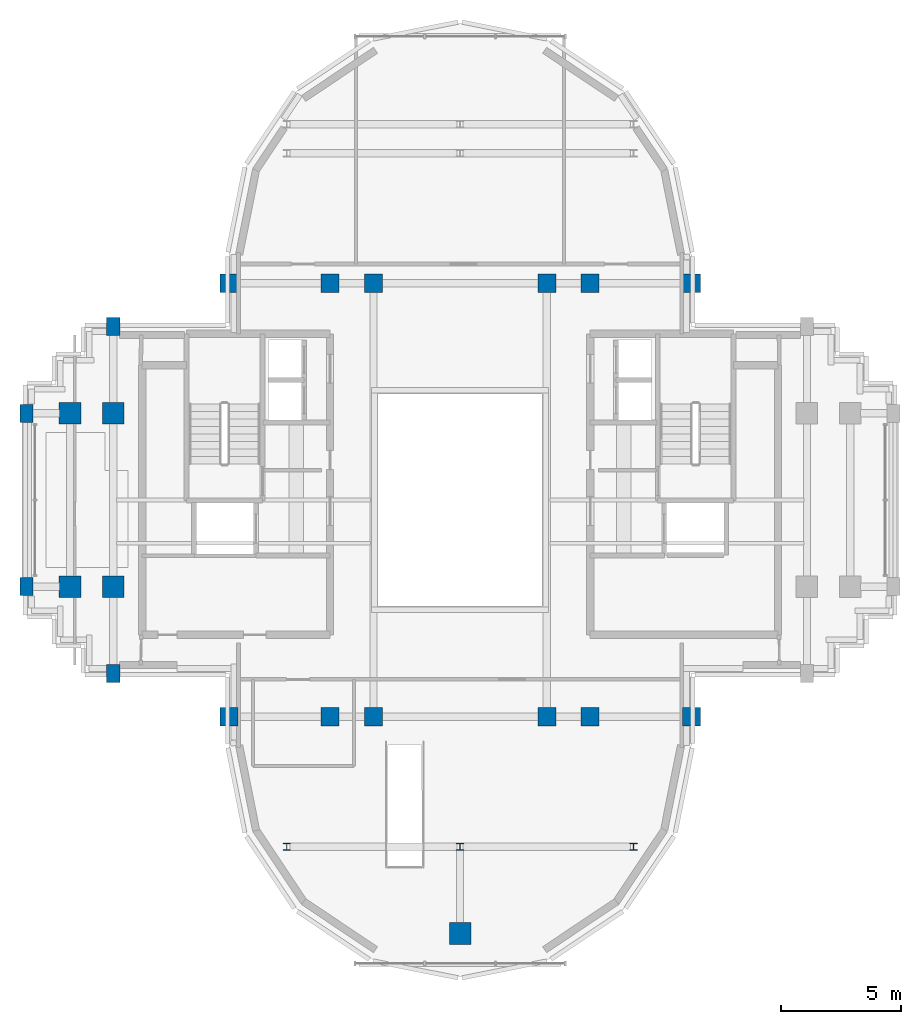
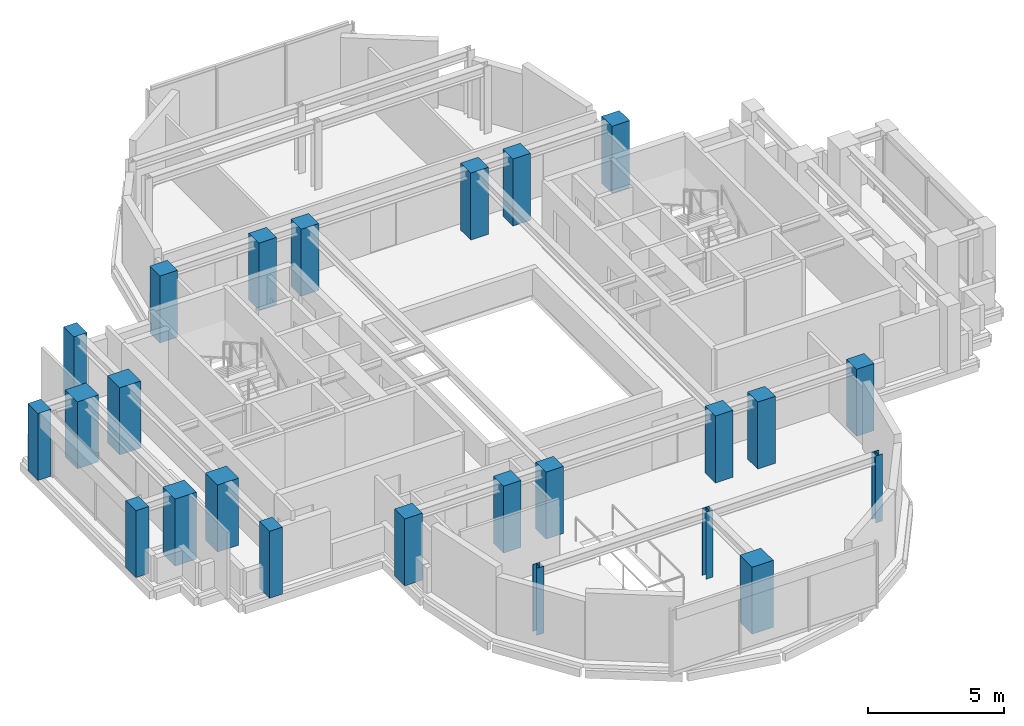
# One storey, part 1 of 12: 24 columns.
"""IFC4 building model written with IfcOpenShell, lengths in metres."""

from ifc_helpers import new_model, si_unit, direction, frame, origin, origin_2d, place, context, subcontext, project, spatial, rectangle, i_section, extrude, source, transform, mapped, material, material_profile, profile_set, type_object, element, save


model = new_model("IFC4")

# Units and contexts
model_context = context("Model", 3, precision=1e-05, world=origin(), true_north=direction((0.0, 1.0)))
body_context = subcontext(model_context, "Body", "Model", "MODEL_VIEW")
ifc_project = project(units=[si_unit("LENGTHUNIT", "METRE"), si_unit("AREAUNIT", "SQUARE_METRE"), si_unit("VOLUMEUNIT", "CUBIC_METRE"), si_unit("PLANEANGLEUNIT", "RADIAN"), si_unit("MASSUNIT", "GRAM", prefix="KILO")], contexts=[model_context])

# Site, building, storey
site_placement = place(None, origin())
site = spatial("IfcSite", under=ifc_project, at=site_placement, CompositionType="ELEMENT")
building_placement = place(site_placement, origin())
building = spatial("IfcBuilding", under=site, at=building_placement, Name="Keilestroom Media Tower", CompositionType="ELEMENT")
storey_placement = place(building_placement, frame((0.0, 0.0, 242.800048828125)))
storey = spatial("IfcBuildingStorey", under=building, at=storey_placement, Name="L67", CompositionType="ELEMENT", Elevation=242.800048828125)

# Columns
ifc_material_1 = material(Name="Precast concrete C40/50", Category="concrete")
ifc_material_profile_1 = material_profile(ifc_material_1, rectangle(XDim=0.550048828125, YDim=0.75, at=origin_2d()), Name="PC 750x550")
ifc_profile_set_1 = profile_set([ifc_material_profile_1], Name="Precast concrete C40/50")
column_type_1 = type_object("IfcColumnType", Name="Structural-Column-PC-750x550", PredefinedType="COLUMN", material=ifc_profile_set_1)
shared_shape_1 = source(origin(), body_context, "Body", "SweptSolid", [
    extrude(rectangle(XDim=0.550048828125, YDim=0.75, at=origin_2d()), origin(), (0.0, 0.0, 1.0), 3.010009765625),
])
for number, where, z_axis, x_axis, name in (
    (1, (-18.0, -3.60009765625, 0.0), (0.0, 0.0, 1.0), (1.0, 0.0, 0.0), "L67 Column PC-3 (-18.0,-3.6)"),
    (2, (-18.0, 3.60009765625, 0.0), (0.0, 0.0, 1.0), (1.0, 0.0, 0.0), "L67 Column PC-3 (-18.0,+3.6)"),
    (3, (-14.39990234375, -7.199951171875, 0.0), (0.0, 0.0, 1.0), (1.0, 0.0, 0.0), "L67 Column PC-3 (-14.4,-7.2)"),
    (4, (-14.39990234375, 7.199951171875, 0.0), (0.0, 0.0, 1.0), (1.0, 0.0, 0.0), "L67 Column PC-3 (-14.4,+7.2)"),
):
    element("IfcColumn", number, at=place(storey_placement, frame(where, z_axis=z_axis, x_axis=x_axis)), inside=storey, type_object=column_type_1, Name=name, PredefinedType="COLUMN", context=body_context, shape_type="MappedRepresentation", body=[
        mapped(shared_shape_1, transform((0.0, 0.0, 0.0), x_axis=(1.0, 0.0, 0.0), y_axis=(0.0, 1.0, 0.0), z_axis=(0.0, 0.0, 1.0), scale=1.0)),
    ])
ifc_material_2 = material(Name="Concrete C55/67", Category="concrete")
ifc_material_profile_2 = material_profile(ifc_material_2, rectangle(XDim=0.89990234375, YDim=0.89990234375, at=origin_2d()), Name="RC 900x900")
ifc_profile_set_2 = profile_set([ifc_material_profile_2], Name="Concrete C55/67")
column_type_2 = type_object("IfcColumnType", Name="Structural-Column-RC-900x900", PredefinedType="COLUMN", material=ifc_profile_set_2)
shared_shape_2 = source(origin(), body_context, "Body", "SweptSolid", [
    extrude(rectangle(XDim=0.89990234375, YDim=0.89990234375, at=origin_2d()), origin(), (0.0, 0.0, 1.0), 3.010009765625),
])
for number, where, z_axis, x_axis, name in (
    (5, (-16.199951171875, -3.60009765625, 0.0), (0.0, 0.0, 1.0), (1.0, 0.0, 0.0), "L67 Column MC-4 (-16.2,-3.6)"),
    (6, (-16.199951171875, 3.60009765625, 0.0), (0.0, 0.0, 1.0), (1.0, 0.0, 0.0), "L67 Column MC-4 (-16.2,+3.6)"),
    (7, (-14.39990234375, -3.60009765625, 0.0), (0.0, 0.0, 1.0), (1.0, 0.0, 0.0), "L67 Column MC-4 (-14.4,-3.6)"),
    (8, (-14.39990234375, 3.60009765625, 0.0), (0.0, 0.0, 1.0), (1.0, 0.0, 0.0), "L67 Column MC-4 (-14.4,+3.6)"),
    (9, (0.0, -18.0, 0.0), (0.0, 0.0, 1.0), (1.0, 0.0, 0.0), "L67 Column MC-4 (+0.0,-18.0)"),
):
    element("IfcColumn", number, at=place(storey_placement, frame(where, z_axis=z_axis, x_axis=x_axis)), inside=storey, type_object=column_type_2, Name=name, PredefinedType="COLUMN", context=body_context, shape_type="MappedRepresentation", body=[
        mapped(shared_shape_2, transform((0.0, 0.0, 0.0), x_axis=(1.0, 0.0, 0.0), y_axis=(0.0, 1.0, 0.0), z_axis=(0.0, 0.0, 1.0), scale=1.0)),
    ])
ifc_material_3 = material(Name="Concrete C50/60", Category="concrete")
ifc_material_profile_3 = material_profile(ifc_material_3, rectangle(XDim=0.75, YDim=0.75, at=origin_2d()), Name="RC 750x750")
ifc_profile_set_3 = profile_set([ifc_material_profile_3], Name="Concrete C50/60")
column_type_3 = type_object("IfcColumnType", Name="Structural-Column-RC-750x750", PredefinedType="COLUMN", material=ifc_profile_set_3)
shared_shape_3 = source(origin(), body_context, "Body", "SweptSolid", [
    extrude(rectangle(XDim=0.75, YDim=0.75, at=origin_2d()), origin(), (0.0, 0.0, 1.0), 3.010009765625),
])
for number, where, z_axis, x_axis, name in (
    (10, (-9.60009765625, -9.0, 0.0), (0.0, 0.0, 1.0), (1.0, 0.0, 0.0), "L67 Column MC-5 (-9.6,-9.0)"),
    (11, (-9.60009765625, 9.0, 0.0), (0.0, 0.0, 1.0), (1.0, 0.0, 0.0), "L67 Column MC-5 (-9.6,+9.0)"),
    (12, (-5.39990234375, -9.0, 0.0), (0.0, 0.0, 1.0), (1.0, 0.0, 0.0), "L67 Column MC-5 (-5.4,-9.0)"),
    (13, (-5.39990234375, 9.0, 0.0), (0.0, 0.0, 1.0), (1.0, 0.0, 0.0), "L67 Column MC-5 (-5.4,+9.0)"),
    (14, (-3.60009765625, -9.0, 0.0), (0.0, 0.0, 1.0), (1.0, 0.0, 0.0), "L67 Column MC-5 (-3.6,-9.0)"),
    (15, (-3.60009765625, 9.0, 0.0), (0.0, 0.0, 1.0), (1.0, 0.0, 0.0), "L67 Column MC-5 (-3.6,+9.0)"),
    (16, (3.60009765625, -9.0, 0.0), (0.0, 0.0, 1.0), (1.0, 0.0, 0.0), "L67 Column MC-5 (+3.6,-9.0)"),
    (17, (3.60009765625, 9.0, 0.0), (0.0, 0.0, 1.0), (1.0, 0.0, 0.0), "L67 Column MC-5 (+3.6,+9.0)"),
    (18, (5.39990234375, -9.0, 0.0), (0.0, 0.0, 1.0), (1.0, 0.0, 0.0), "L67 Column MC-5 (+5.4,-9.0)"),
    (19, (5.39990234375, 9.0, 0.0), (0.0, 0.0, 1.0), (1.0, 0.0, 0.0), "L67 Column MC-5 (+5.4,+9.0)"),
    (20, (9.60009765625, -9.0, 0.0), (0.0, 0.0, 1.0), (1.0, 0.0, 0.0), "L67 Column MC-5 (+9.6,-9.0)"),
    (21, (9.60009765625, 9.0, 0.0), (0.0, 0.0, 1.0), (1.0, 0.0, 0.0), "L67 Column MC-5 (+9.6,+9.0)"),
):
    element("IfcColumn", number, at=place(storey_placement, frame(where, z_axis=z_axis, x_axis=x_axis)), inside=storey, type_object=column_type_3, Name=name, PredefinedType="COLUMN", context=body_context, shape_type="MappedRepresentation", body=[
        mapped(shared_shape_3, transform((0.0, 0.0, 0.0), x_axis=(1.0, 0.0, 0.0), y_axis=(0.0, 1.0, 0.0), z_axis=(0.0, 0.0, 1.0), scale=1.0)),
    ])
ifc_material_4 = material(Name="Steel S355", Category="steel")
ifc_material_profile_4 = material_profile(ifc_material_4, i_section(OverallWidth=0.300048828125, OverallDepth=0.300048828125, WebThickness=0.010986328125, FlangeThickness=0.01904296875, at=origin_2d()), Name="HEB 300")
ifc_profile_set_4 = profile_set([ifc_material_profile_4], Name="Steel S355")
column_type_4 = type_object("IfcColumnType", Name="Structural-Column-HEB-300", PredefinedType="COLUMN", material=ifc_profile_set_4)
shared_shape_4 = source(origin(), body_context, "Body", "SweptSolid", [
    extrude(i_section(OverallWidth=0.300048828125, OverallDepth=0.300048828125, WebThickness=0.010986328125, FlangeThickness=0.01904296875, at=origin_2d()), origin(), (0.0, 0.0, 1.0), 3.010009765625),
])
for number, where, z_axis, x_axis, name in (
    (22, (-7.199951171875, -14.39990234375, 0.0), (0.0, 0.0, 1.0), (1.0, 0.0, 0.0), "L67 Column SC-5 (-7.2,-14.4)"),
    (23, (0.0, -14.39990234375, 0.0), (0.0, 0.0, 1.0), (1.0, 0.0, 0.0), "L67 Column SC-5 (+0.0,-14.4)"),
    (24, (7.199951171875, -14.39990234375, 0.0), (0.0, 0.0, 1.0), (1.0, 0.0, 0.0), "L67 Column SC-5 (+7.2,-14.4)"),
):
    element("IfcColumn", number, at=place(storey_placement, frame(where, z_axis=z_axis, x_axis=x_axis)), inside=storey, type_object=column_type_4, Name=name, PredefinedType="COLUMN", context=body_context, shape_type="MappedRepresentation", body=[
        mapped(shared_shape_4, transform((0.0, 0.0, 0.0), x_axis=(1.0, 0.0, 0.0), y_axis=(0.0, 1.0, 0.0), z_axis=(0.0, 0.0, 1.0), scale=1.0)),
    ])

save(model, "model.ifc")
